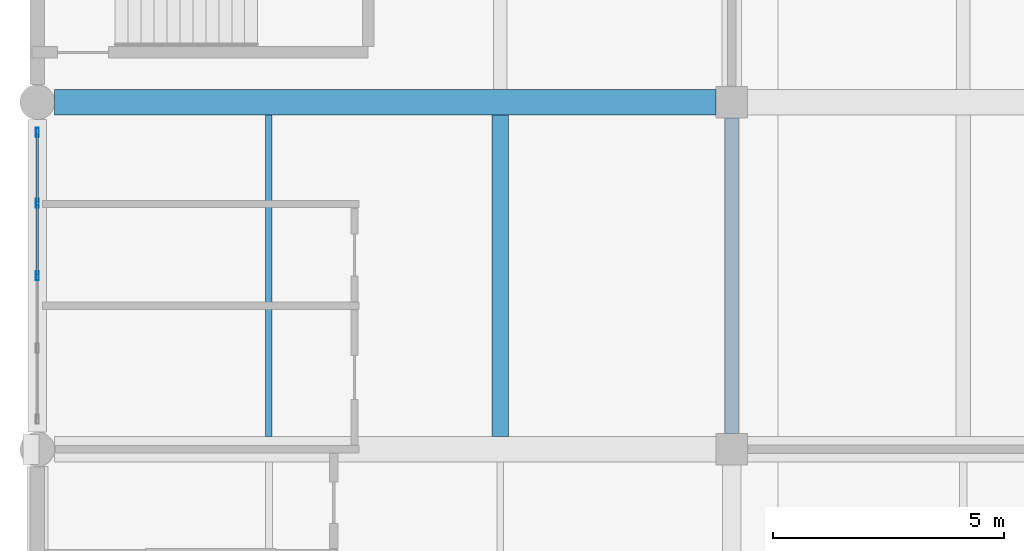
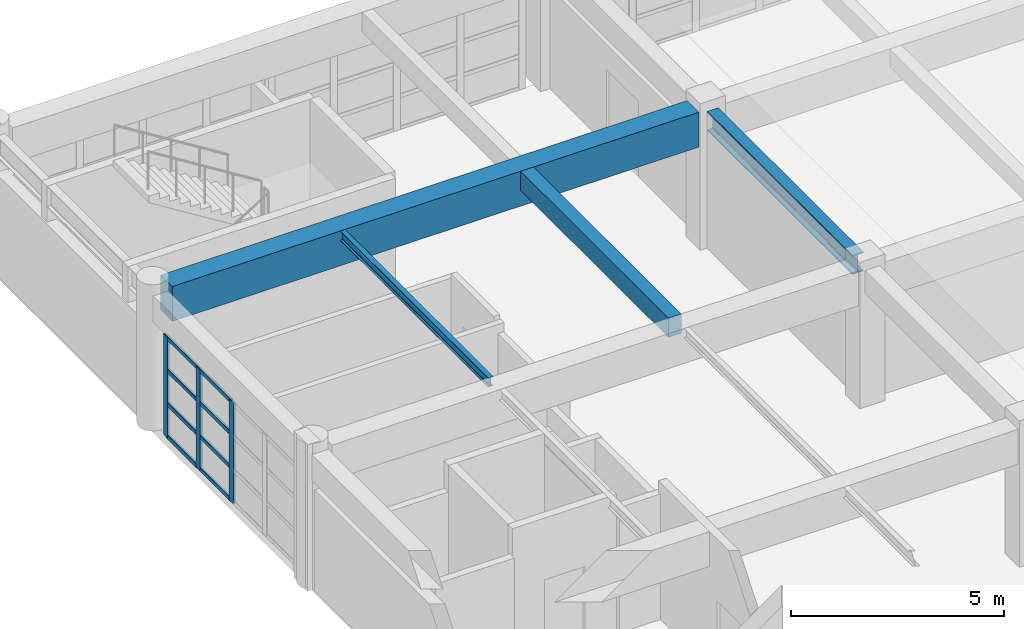
# One storey, part 18 of 132: 11 members, 4 beams, 1 element without a shape of its own.
"""IFC4 building model written with IfcOpenShell, lengths in metres."""

from ifc_helpers import new_model, si_unit, direction, frame, origin, origin_2d, place, context, subcontext, project, spatial, rectangle, hollow_rectangle, i_section, extrude, material, material_profile, profile_set, type_object, element, aggregate, save


model = new_model("IFC4")

# Units and contexts
model_context = context("Model", 3, precision=1e-05, world=origin(), true_north=direction((0.0, 1.0)))
body_context = subcontext(model_context, "Body", "Model", "MODEL_VIEW")
ifc_project = project(units=[si_unit("LENGTHUNIT", "METRE"), si_unit("AREAUNIT", "SQUARE_METRE"), si_unit("VOLUMEUNIT", "CUBIC_METRE"), si_unit("PLANEANGLEUNIT", "RADIAN"), si_unit("MASSUNIT", "GRAM", prefix="KILO")], contexts=[model_context])

# Site, building, storey
site_placement = place(None, origin())
site = spatial("IfcSite", under=ifc_project, at=site_placement, CompositionType="ELEMENT")
building_placement = place(site_placement, origin())
building = spatial("IfcBuilding", under=site, at=building_placement, Name="Qasida Concert Hall", CompositionType="ELEMENT")
storey_placement = place(building_placement, frame((0.0, 0.0, 4.800048828125)))
storey = spatial("IfcBuildingStorey", under=building, at=storey_placement, Name="L01", CompositionType="ELEMENT", Elevation=4.800048828125)

# Beams
ifc_material_1 = material(Name="Steel S355J2", Category="steel")
ifc_material_profile_1 = material_profile(ifc_material_1, i_section(OverallWidth=0.300048828125, OverallDepth=0.550048828125, WebThickness=0.014892578125, FlangeThickness=0.029052734375, FilletRadius=0.027099609375, at=origin_2d()), Name="HEB 550")
ifc_profile_set_1 = profile_set([ifc_material_profile_1], Name="Steel S355J2")
beam_type_1 = type_object("IfcBeamType", Name="BM-B12", PredefinedType="BEAM", material=ifc_profile_set_1)
beam_1_placement = place(storey_placement, frame((15.0, 37.840087890625, 3.64501953125), z_axis=(0.0, 1.0, 0.0), x_axis=(-1.0, 0.0, 0.0)))
element("IfcBeam", 1, at=beam_1_placement, inside=storey, type_object=beam_type_1, Name="L01 girder 0932", PredefinedType="BEAM", context=body_context, shape_type="SweptSolid", body=[
    extrude(i_section(OverallWidth=0.300048828125, OverallDepth=0.550048828125, WebThickness=0.014892578125, FlangeThickness=0.029052734375, FilletRadius=0.027099609375, at=origin_2d()), origin(), (0.0, 0.0, 1.0), 6.81982421875),
])
ifc_material_2 = material(Name="Concrete C40/50", Category="concrete")
ifc_material_profile_2 = material_profile(ifc_material_2, rectangle(XDim=0.550048828125, YDim=1.0, at=origin_2d()), Name="RC 550x1000")
ifc_profile_set_2 = profile_set([ifc_material_profile_2], Name="Concrete C40/50")
beam_type_2 = type_object("IfcBeamType", Name="BM-G3", PredefinedType="USERDEFINED", material=ifc_profile_set_2)
beam_2_placement = place(storey_placement, frame((0.375, 45.0, 3.419921875), z_axis=(1.0, 0.0, 0.0), x_axis=(0.0, 1.0, 0.0)))
element("IfcBeam", 2, at=beam_2_placement, inside=storey, type_object=beam_type_2, Name="Primary girder 0914", ObjectType="GIRDER", PredefinedType="USERDEFINED", context=body_context, shape_type="SweptSolid", body=[
    extrude(rectangle(XDim=0.550048828125, YDim=1.0, at=origin_2d()), origin(), (0.0, 0.0, 1.0), 14.284912109375),
])
ifc_material_profile_3 = material_profile(ifc_material_1, i_section(OverallWidth=0.135009765625, OverallDepth=0.27001953125, WebThickness=0.006591796875, FlangeThickness=0.01025390625, FilletRadius=0.014892578125, at=origin_2d()), Name="IPE 270")
ifc_profile_set_3 = profile_set([ifc_material_profile_3], Name="Steel S355J2")
beam_type_3 = type_object("IfcBeamType", Name="BM-J6", PredefinedType="JOIST", material=ifc_profile_set_3)
beam_3_placement = place(storey_placement, frame((5.0, 37.77490234375, 3.784912109375), z_axis=(0.0, 1.0, 0.0), x_axis=(-1.0, 0.0, 0.0)))
element("IfcBeam", 3, at=beam_3_placement, inside=storey, type_object=beam_type_3, Name="L01 secondary joist 0957", PredefinedType="JOIST", context=body_context, shape_type="SweptSolid", body=[
    extrude(i_section(OverallWidth=0.135009765625, OverallDepth=0.27001953125, WebThickness=0.006591796875, FlangeThickness=0.01025390625, FilletRadius=0.014892578125, at=origin_2d()), origin(), (0.0, 0.0, 1.0), 6.9501953125),
])
ifc_material_profile_4 = material_profile(ifc_material_2, rectangle(XDim=0.35009765625, YDim=0.550048828125, at=origin_2d()), Name="RC 350x550")
ifc_profile_set_4 = profile_set([ifc_material_profile_4], Name="Concrete C40/50")
beam_type_4 = type_object("IfcBeamType", Name="BM-J8", PredefinedType="JOIST", material=ifc_profile_set_4)
beam_4_placement = place(storey_placement, frame((10.0, 37.77490234375, 3.64501953125), z_axis=(0.0, 1.0, 0.0), x_axis=(-1.0, 0.0, 0.0)))
element("IfcBeam", 4, at=beam_4_placement, inside=storey, type_object=beam_type_4, Name="L01 secondary joist 0958", PredefinedType="JOIST", context=body_context, shape_type="SweptSolid", body=[
    extrude(rectangle(XDim=0.35009765625, YDim=0.550048828125, at=origin_2d()), origin(), (0.0, 0.0, 1.0), 6.9501953125),
])

# Curtain wall, members
ifc_material_3 = material(Name="Architectural bronze-anodized aluminium and low-E glass", Category="aluminium")
curtain_wall_type = type_object("IfcCurtainWallType", Name="CW-07", PredefinedType="NOTDEFINED", material=ifc_material_3)
curtain_wall_placement = place(storey_placement, origin())
curtain_wall = element("IfcCurtainWall", 5, at=curtain_wall_placement, inside=storey, type_object=curtain_wall_type, Name="L01 curtain wall CW-07 0096", PredefinedType="NOTDEFINED")
ifc_material_4 = material(Name="Architectural bronze-anodized aluminium EN AW-6063", Category="aluminium")
ifc_material_profile_5 = material_profile(ifc_material_4, hollow_rectangle(XDim=0.06494140625, YDim=0.199951171875, WallThickness=0.0048828125, InnerFilletRadius=0.0048828125, OuterFilletRadius=0.010009765625, at=origin_2d()), Name="CWM 200x65x5")
ifc_profile_set_5 = profile_set([ifc_material_profile_5], Name="Architectural bronze-anodized aluminium EN AW-6063")
member_type_1 = type_object("IfcMemberType", Name="MB-CWM-2", PredefinedType="MULLION", material=ifc_profile_set_5)
member_1_placement = place(storey_placement, frame((0.0, 41.25, 0.0), z_axis=(0.0, 0.0, 1.0), x_axis=(-1.0, 0.0, 0.0)))
member_1 = element("IfcMember", 6, at=member_1_placement, type_object=member_type_1, Name="CW-07 mullion 3", PredefinedType="MULLION", context=body_context, shape_type="SweptSolid", body=[
    extrude(hollow_rectangle(XDim=0.06494140625, YDim=0.199951171875, WallThickness=0.0048828125, InnerFilletRadius=0.0048828125, OuterFilletRadius=0.010009765625, at=origin_2d()), origin(), (0.0, 0.0, 1.0), 2.889892578125),
])
member_2_placement = place(storey_placement, frame((0.0, 42.81494140625, 0.0), z_axis=(0.0, 0.0, 1.0), x_axis=(-1.0, 0.0, 0.0)))
member_2 = element("IfcMember", 7, at=member_2_placement, type_object=member_type_1, Name="CW-07 mullion 4", PredefinedType="MULLION", context=body_context, shape_type="SweptSolid", body=[
    extrude(hollow_rectangle(XDim=0.06494140625, YDim=0.199951171875, WallThickness=0.0048828125, InnerFilletRadius=0.0048828125, OuterFilletRadius=0.010009765625, at=origin_2d()), origin(), (0.0, 0.0, 1.0), 2.889892578125),
])
member_3_placement = place(storey_placement, frame((0.0, 44.347412109375, 0.0), z_axis=(0.0, 0.0, 1.0), x_axis=(-1.0, 0.0, 0.0)))
member_3 = element("IfcMember", 8, at=member_3_placement, type_object=member_type_1, Name="CW-07 mullion 5", PredefinedType="MULLION", context=body_context, shape_type="SweptSolid", body=[
    extrude(hollow_rectangle(XDim=0.06494140625, YDim=0.199951171875, WallThickness=0.0048828125, InnerFilletRadius=0.0048828125, OuterFilletRadius=0.010009765625, at=origin_2d()), origin(), (0.0, 0.0, 1.0), 2.889892578125),
])
ifc_material_profile_6 = material_profile(ifc_material_4, hollow_rectangle(XDim=0.06005859375, YDim=0.1201171875, WallThickness=0.00390625, InnerFilletRadius=0.00390625, OuterFilletRadius=0.008056640625, at=origin_2d()), Name="CWT 120x60x4")
ifc_profile_set_6 = profile_set([ifc_material_profile_6], Name="Architectural bronze-anodized aluminium EN AW-6063")
member_type_2 = type_object("IfcMemberType", Name="MB-CWT-2", PredefinedType="USERDEFINED", material=ifc_profile_set_6)
member_4_placement = place(storey_placement, frame((0.0, 41.282470703125, 0.030029296875), z_axis=(0.0, 1.0, 0.0), x_axis=(-1.0, 0.0, 0.0)))
member_4 = element("IfcMember", 9, at=member_4_placement, type_object=member_type_2, Name="CW-07 transom 3.1", ObjectType="TRANSOM", PredefinedType="USERDEFINED", context=body_context, shape_type="SweptSolid", body=[
    extrude(hollow_rectangle(XDim=0.06005859375, YDim=0.1201171875, WallThickness=0.00390625, InnerFilletRadius=0.00390625, OuterFilletRadius=0.008056640625, at=origin_2d()), origin(), (0.0, 0.0, 1.0), 1.5),
])
member_5_placement = place(storey_placement, frame((0.0, 41.282470703125, 0.963134765625), z_axis=(0.0, 1.0, 0.0), x_axis=(-1.0, 0.0, 0.0)))
member_5 = element("IfcMember", 10, at=member_5_placement, type_object=member_type_2, Name="CW-07 transom 3.2", ObjectType="TRANSOM", PredefinedType="USERDEFINED", context=body_context, shape_type="SweptSolid", body=[
    extrude(hollow_rectangle(XDim=0.06005859375, YDim=0.1201171875, WallThickness=0.00390625, InnerFilletRadius=0.00390625, OuterFilletRadius=0.008056640625, at=origin_2d()), origin(), (0.0, 0.0, 1.0), 1.5),
])
member_6_placement = place(storey_placement, frame((0.0, 41.282470703125, 1.9267578125), z_axis=(0.0, 1.0, 0.0), x_axis=(-1.0, 0.0, 0.0)))
member_6 = element("IfcMember", 11, at=member_6_placement, type_object=member_type_2, Name="CW-07 transom 3.3", ObjectType="TRANSOM", PredefinedType="USERDEFINED", context=body_context, shape_type="SweptSolid", body=[
    extrude(hollow_rectangle(XDim=0.06005859375, YDim=0.1201171875, WallThickness=0.00390625, InnerFilletRadius=0.00390625, OuterFilletRadius=0.008056640625, at=origin_2d()), origin(), (0.0, 0.0, 1.0), 1.5),
])
member_7_placement = place(storey_placement, frame((0.0, 41.282470703125, 2.85986328125), z_axis=(0.0, 1.0, 0.0), x_axis=(-1.0, 0.0, 0.0)))
member_7 = element("IfcMember", 12, at=member_7_placement, type_object=member_type_2, Name="CW-07 transom 3.4", ObjectType="TRANSOM", PredefinedType="USERDEFINED", context=body_context, shape_type="SweptSolid", body=[
    extrude(hollow_rectangle(XDim=0.06005859375, YDim=0.1201171875, WallThickness=0.00390625, InnerFilletRadius=0.00390625, OuterFilletRadius=0.008056640625, at=origin_2d()), origin(), (0.0, 0.0, 1.0), 1.5),
])
member_8_placement = place(storey_placement, frame((0.0, 42.847412109375, 0.030029296875), z_axis=(0.0, 1.0, 0.0), x_axis=(-1.0, 0.0, 0.0)))
member_8 = element("IfcMember", 13, at=member_8_placement, type_object=member_type_2, Name="CW-07 transom 4.1", ObjectType="TRANSOM", PredefinedType="USERDEFINED", context=body_context, shape_type="SweptSolid", body=[
    extrude(hollow_rectangle(XDim=0.06005859375, YDim=0.1201171875, WallThickness=0.00390625, InnerFilletRadius=0.00390625, OuterFilletRadius=0.008056640625, at=origin_2d()), origin(), (0.0, 0.0, 1.0), 1.467529296875),
])
member_9_placement = place(storey_placement, frame((0.0, 42.847412109375, 0.963134765625), z_axis=(0.0, 1.0, 0.0), x_axis=(-1.0, 0.0, 0.0)))
member_9 = element("IfcMember", 14, at=member_9_placement, type_object=member_type_2, Name="CW-07 transom 4.2", ObjectType="TRANSOM", PredefinedType="USERDEFINED", context=body_context, shape_type="SweptSolid", body=[
    extrude(hollow_rectangle(XDim=0.06005859375, YDim=0.1201171875, WallThickness=0.00390625, InnerFilletRadius=0.00390625, OuterFilletRadius=0.008056640625, at=origin_2d()), origin(), (0.0, 0.0, 1.0), 1.467529296875),
])
member_10_placement = place(storey_placement, frame((0.0, 42.847412109375, 1.9267578125), z_axis=(0.0, 1.0, 0.0), x_axis=(-1.0, 0.0, 0.0)))
member_10 = element("IfcMember", 15, at=member_10_placement, type_object=member_type_2, Name="CW-07 transom 4.3", ObjectType="TRANSOM", PredefinedType="USERDEFINED", context=body_context, shape_type="SweptSolid", body=[
    extrude(hollow_rectangle(XDim=0.06005859375, YDim=0.1201171875, WallThickness=0.00390625, InnerFilletRadius=0.00390625, OuterFilletRadius=0.008056640625, at=origin_2d()), origin(), (0.0, 0.0, 1.0), 1.467529296875),
])
member_11_placement = place(storey_placement, frame((0.0, 42.847412109375, 2.85986328125), z_axis=(0.0, 1.0, 0.0), x_axis=(-1.0, 0.0, 0.0)))
member_11 = element("IfcMember", 16, at=member_11_placement, type_object=member_type_2, Name="CW-07 transom 4.4", ObjectType="TRANSOM", PredefinedType="USERDEFINED", context=body_context, shape_type="SweptSolid", body=[
    extrude(hollow_rectangle(XDim=0.06005859375, YDim=0.1201171875, WallThickness=0.00390625, InnerFilletRadius=0.00390625, OuterFilletRadius=0.008056640625, at=origin_2d()), origin(), (0.0, 0.0, 1.0), 1.467529296875),
])
aggregate(curtain_wall, [member_1, member_2, member_3, member_4, member_5, member_6, member_7, member_8, member_9, member_10, member_11])

save(model, "model.ifc")
